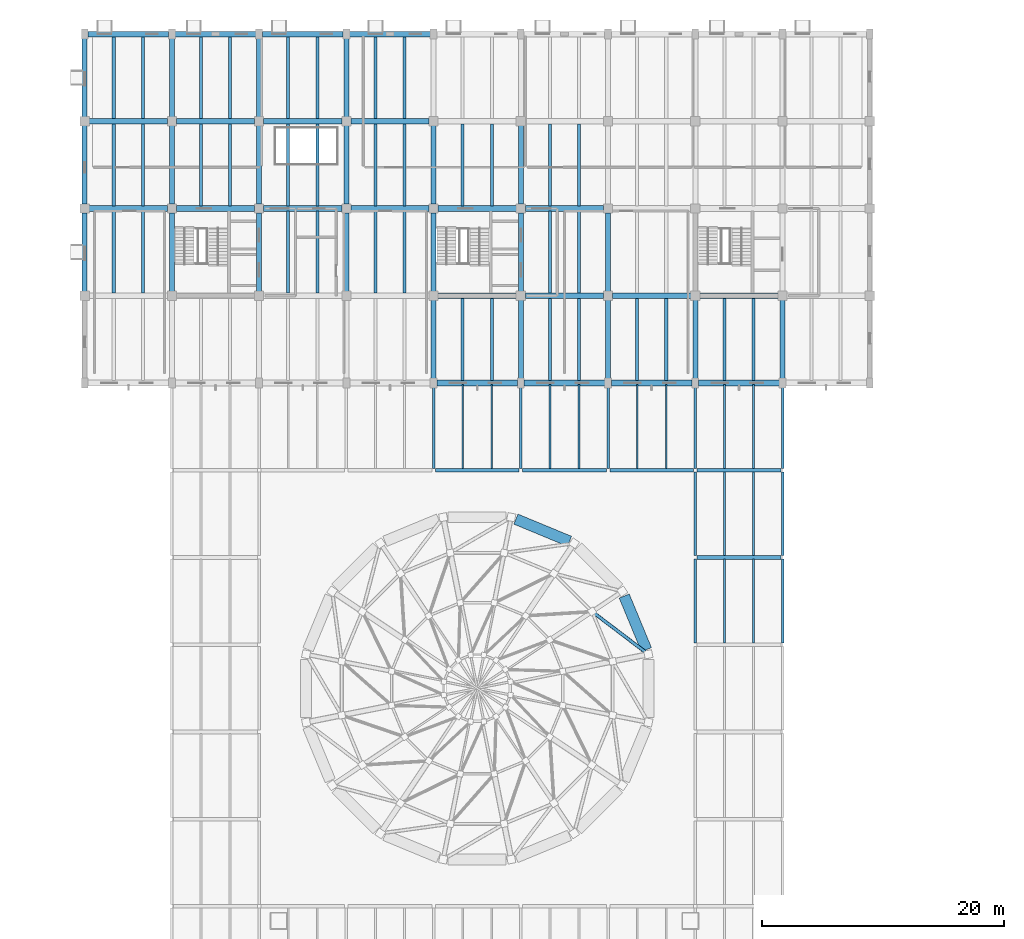
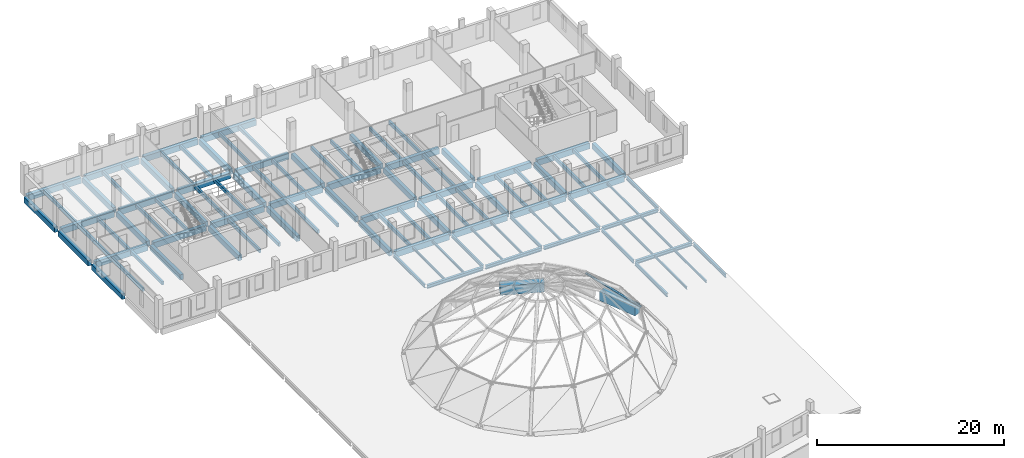
# One storey, part 11 of 32: 108 beams, 1 member.
"""IFC4 building model written with IfcOpenShell, lengths in metres."""

from ifc_helpers import new_model, si_unit, direction, frame, origin, origin_2d, place, context, subcontext, project, spatial, rectangle, hollow_circle, i_section, extrude, material, material_profile, profile_set, type_object, element, save


model = new_model("IFC4")

# Units and contexts
model_context = context("Model", 3, precision=1e-05, world=origin(), true_north=direction((0.0, 1.0)))
body_context = subcontext(model_context, "Body", "Model", "MODEL_VIEW")
ifc_project = project(units=[si_unit("LENGTHUNIT", "METRE"), si_unit("AREAUNIT", "SQUARE_METRE"), si_unit("VOLUMEUNIT", "CUBIC_METRE"), si_unit("PLANEANGLEUNIT", "RADIAN"), si_unit("MASSUNIT", "GRAM", prefix="KILO")], contexts=[model_context])

# Site, building, storey
site_placement = place(None, origin())
site = spatial("IfcSite", under=ifc_project, at=site_placement, CompositionType="ELEMENT")
building_placement = place(site_placement, origin())
building = spatial("IfcBuilding", under=site, at=building_placement, Name="Qiaolan Assembly House", CompositionType="ELEMENT")
storey_placement = place(building_placement, frame((0.0, 0.0, 18.60009765625)))
storey = spatial("IfcBuildingStorey", under=building, at=storey_placement, Name="L04", CompositionType="ELEMENT", Elevation=18.60009765625)

# Beams
ifc_material_1 = material(Name="Concrete C40/50", Category="concrete")
ifc_material_profile_1 = material_profile(ifc_material_1, rectangle(XDim=0.409912109375, YDim=0.7099609375, at=origin_2d()), Name="RCB 410x710")
ifc_profile_set_1 = profile_set([ifc_material_profile_1], Name="Concrete C40/50")
beam_type_1 = type_object("IfcBeamType", Name="BM-RC-410x710", PredefinedType="BEAM", material=ifc_profile_set_1)
for number, where, z_axis, x_axis, name in (
    (1, (36.0, 93.965087890625, -0.585205078125), (0.0, 1.0, 0.0), (-1.0, 0.0, 0.0), "GB-17 beam BMY-NW-L04-00-01"),
    (2, (36.0, 101.1650390625, -0.585205078125), (0.0, 1.0, 0.0), (-1.0, 0.0, 0.0), "GB-17 beam BMY-NW-L04-00-02"),
):
    element("IfcBeam", number, at=place(storey_placement, frame(where, z_axis=z_axis, x_axis=x_axis)), inside=storey, type_object=beam_type_1, Name=name, PredefinedType="BEAM", context=body_context, shape_type="SweptSolid", body=[
        extrude(rectangle(XDim=0.409912109375, YDim=0.7099609375, at=origin_2d()), origin(), (0.0, 0.0, 1.0), 6.469970703125),
    ])
beam_1_placement = place(storey_placement, frame((36.0, 108.364990234375, -0.585205078125), z_axis=(0.0, 1.0, 0.0), x_axis=(-1.0, 0.0, 0.0)))
element("IfcBeam", 3, at=beam_1_placement, inside=storey, type_object=beam_type_1, Name="GB-17 beam BMY-NW-L04-00-03", PredefinedType="BEAM", context=body_context, shape_type="SweptSolid", body=[
    extrude(rectangle(XDim=0.409912109375, YDim=0.7099609375, at=origin_2d()), origin(), (0.0, 0.0, 1.0), 6.56494140625),
])
for number, where, z_axis, x_axis, name in (
    (4, (43.199951171875, 93.965087890625, -0.585205078125), (0.0, 1.0, 0.0), (-1.0, 0.0, 0.0), "GB-17 beam BMY-NW-L04-01-01"),
    (5, (43.199951171875, 101.1650390625, -0.585205078125), (0.0, 1.0, 0.0), (-1.0, 0.0, 0.0), "GB-17 beam BMY-NW-L04-01-02"),
):
    element("IfcBeam", number, at=place(storey_placement, frame(where, z_axis=z_axis, x_axis=x_axis)), inside=storey, type_object=beam_type_1, Name=name, PredefinedType="BEAM", context=body_context, shape_type="SweptSolid", body=[
        extrude(rectangle(XDim=0.409912109375, YDim=0.7099609375, at=origin_2d()), origin(), (0.0, 0.0, 1.0), 6.469970703125),
    ])
beam_2_placement = place(storey_placement, frame((43.199951171875, 108.364990234375, -0.585205078125), z_axis=(0.0, 1.0, 0.0), x_axis=(-1.0, 0.0, 0.0)))
element("IfcBeam", 6, at=beam_2_placement, inside=storey, type_object=beam_type_1, Name="GB-17 beam BMY-NW-L04-01-03", PredefinedType="BEAM", context=body_context, shape_type="SweptSolid", body=[
    extrude(rectangle(XDim=0.409912109375, YDim=0.7099609375, at=origin_2d()), origin(), (0.0, 0.0, 1.0), 6.56494140625),
])
for number, where, z_axis, x_axis, name in (
    (7, (50.39990234375, 93.965087890625, -0.585205078125), (0.0, 1.0, 0.0), (-1.0, 0.0, 0.0), "GB-17 beam BMY-NW-L04-02-01"),
    (8, (50.39990234375, 101.1650390625, -0.585205078125), (0.0, 1.0, 0.0), (-1.0, 0.0, 0.0), "GB-17 beam BMY-NW-L04-02-02"),
):
    element("IfcBeam", number, at=place(storey_placement, frame(where, z_axis=z_axis, x_axis=x_axis)), inside=storey, type_object=beam_type_1, Name=name, PredefinedType="BEAM", context=body_context, shape_type="SweptSolid", body=[
        extrude(rectangle(XDim=0.409912109375, YDim=0.7099609375, at=origin_2d()), origin(), (0.0, 0.0, 1.0), 6.469970703125),
    ])
beam_3_placement = place(storey_placement, frame((50.39990234375, 108.364990234375, -0.585205078125), z_axis=(0.0, 1.0, 0.0), x_axis=(-1.0, 0.0, 0.0)))
element("IfcBeam", 9, at=beam_3_placement, inside=storey, type_object=beam_type_1, Name="GB-17 beam BMY-NW-L04-02-03", PredefinedType="BEAM", context=body_context, shape_type="SweptSolid", body=[
    extrude(rectangle(XDim=0.409912109375, YDim=0.7099609375, at=origin_2d()), origin(), (0.0, 0.0, 1.0), 6.56494140625),
])
for number, where, z_axis, x_axis, name in (
    (10, (57.60009765625, 93.965087890625, -0.585205078125), (0.0, 1.0, 0.0), (-1.0, 0.0, 0.0), "GB-17 beam BMY-NW-L04-03-01"),
    (11, (57.60009765625, 101.1650390625, -0.585205078125), (0.0, 1.0, 0.0), (-1.0, 0.0, 0.0), "GB-17 beam BMY-NW-L04-03-02"),
):
    element("IfcBeam", number, at=place(storey_placement, frame(where, z_axis=z_axis, x_axis=x_axis)), inside=storey, type_object=beam_type_1, Name=name, PredefinedType="BEAM", context=body_context, shape_type="SweptSolid", body=[
        extrude(rectangle(XDim=0.409912109375, YDim=0.7099609375, at=origin_2d()), origin(), (0.0, 0.0, 1.0), 6.469970703125),
    ])
beam_4_placement = place(storey_placement, frame((57.60009765625, 108.364990234375, -0.585205078125), z_axis=(0.0, 1.0, 0.0), x_axis=(-1.0, 0.0, 0.0)))
element("IfcBeam", 12, at=beam_4_placement, inside=storey, type_object=beam_type_1, Name="GB-17 beam BMY-NW-L04-03-03", PredefinedType="BEAM", context=body_context, shape_type="SweptSolid", body=[
    extrude(rectangle(XDim=0.409912109375, YDim=0.7099609375, at=origin_2d()), origin(), (0.0, 0.0, 1.0), 6.56494140625),
])
beam_5_placement = place(storey_placement, frame((64.800048828125, 86.669921875, -0.585205078125), z_axis=(0.0, 1.0, 0.0), x_axis=(-1.0, 0.0, 0.0)))
element("IfcBeam", 13, at=beam_5_placement, inside=storey, type_object=beam_type_1, Name="GB-17 beam BMY-NW-L04-04-00", PredefinedType="BEAM", context=body_context, shape_type="SweptSolid", body=[
    extrude(rectangle(XDim=0.409912109375, YDim=0.7099609375, at=origin_2d()), origin(), (0.0, 0.0, 1.0), 6.565185546875),
])
for number, where, z_axis, x_axis, name in (
    (14, (64.800048828125, 93.965087890625, -0.585205078125), (0.0, 1.0, 0.0), (-1.0, 0.0, 0.0), "GB-17 beam BMY-NW-L04-04-01"),
    (15, (64.800048828125, 101.1650390625, -0.585205078125), (0.0, 1.0, 0.0), (-1.0, 0.0, 0.0), "GB-17 beam BMY-NW-L04-04-02"),
):
    element("IfcBeam", number, at=place(storey_placement, frame(where, z_axis=z_axis, x_axis=x_axis)), inside=storey, type_object=beam_type_1, Name=name, PredefinedType="BEAM", context=body_context, shape_type="SweptSolid", body=[
        extrude(rectangle(XDim=0.409912109375, YDim=0.7099609375, at=origin_2d()), origin(), (0.0, 0.0, 1.0), 6.469970703125),
    ])
beam_6_placement = place(storey_placement, frame((72.0, 86.669921875, -0.585205078125), z_axis=(0.0, 1.0, 0.0), x_axis=(-1.0, 0.0, 0.0)))
element("IfcBeam", 16, at=beam_6_placement, inside=storey, type_object=beam_type_1, Name="GB-17 beam BMY-NW-L04-05-00", PredefinedType="BEAM", context=body_context, shape_type="SweptSolid", body=[
    extrude(rectangle(XDim=0.409912109375, YDim=0.7099609375, at=origin_2d()), origin(), (0.0, 0.0, 1.0), 6.565185546875),
])
for number, where, z_axis, x_axis, name in (
    (17, (72.0, 93.965087890625, -0.585205078125), (0.0, 1.0, 0.0), (-1.0, 0.0, 0.0), "GB-17 beam BMY-NW-L04-05-01"),
    (18, (72.0, 101.1650390625, -0.585205078125), (0.0, 1.0, 0.0), (-1.0, 0.0, 0.0), "GB-17 beam BMY-NW-L04-05-02"),
):
    element("IfcBeam", number, at=place(storey_placement, frame(where, z_axis=z_axis, x_axis=x_axis)), inside=storey, type_object=beam_type_1, Name=name, PredefinedType="BEAM", context=body_context, shape_type="SweptSolid", body=[
        extrude(rectangle(XDim=0.409912109375, YDim=0.7099609375, at=origin_2d()), origin(), (0.0, 0.0, 1.0), 6.469970703125),
    ])
beam_7_placement = place(storey_placement, frame((79.199951171875, 86.669921875, -0.585205078125), z_axis=(0.0, 1.0, 0.0), x_axis=(-1.0, 0.0, 0.0)))
element("IfcBeam", 19, at=beam_7_placement, inside=storey, type_object=beam_type_1, Name="GB-17 beam BMY-NW-L04-06-00", PredefinedType="BEAM", context=body_context, shape_type="SweptSolid", body=[
    extrude(rectangle(XDim=0.409912109375, YDim=0.7099609375, at=origin_2d()), origin(), (0.0, 0.0, 1.0), 6.565185546875),
])
beam_8_placement = place(storey_placement, frame((79.199951171875, 93.965087890625, -0.585205078125), z_axis=(0.0, 1.0, 0.0), x_axis=(-1.0, 0.0, 0.0)))
element("IfcBeam", 20, at=beam_8_placement, inside=storey, type_object=beam_type_1, Name="GB-17 beam BMY-NW-L04-06-01", PredefinedType="BEAM", context=body_context, shape_type="SweptSolid", body=[
    extrude(rectangle(XDim=0.409912109375, YDim=0.7099609375, at=origin_2d()), origin(), (0.0, 0.0, 1.0), 6.469970703125),
])
for number, where, z_axis, x_axis, name in (
    (21, (86.39990234375, 86.669921875, -0.585205078125), (0.0, 1.0, 0.0), (-1.0, 0.0, 0.0), "GB-17 beam BMY-NW-L04-07-00"),
    (22, (93.60009765625, 86.669921875, -0.585205078125), (0.0, 1.0, 0.0), (-1.0, 0.0, 0.0), "GB-17 beam BMY-NW-L04-08-00"),
):
    element("IfcBeam", number, at=place(storey_placement, frame(where, z_axis=z_axis, x_axis=x_axis)), inside=storey, type_object=beam_type_1, Name=name, PredefinedType="BEAM", context=body_context, shape_type="SweptSolid", body=[
        extrude(rectangle(XDim=0.409912109375, YDim=0.7099609375, at=origin_2d()), origin(), (0.0, 0.0, 1.0), 6.565185546875),
    ])
ifc_material_profile_2 = material_profile(ifc_material_1, rectangle(XDim=0.4599609375, YDim=0.760009765625, at=origin_2d()), Name="RCB 460x760")
ifc_profile_set_2 = profile_set([ifc_material_profile_2], Name="Concrete C40/50")
beam_type_2 = type_object("IfcBeamType", Name="BM-RC-460x760", PredefinedType="BEAM", material=ifc_profile_set_2)
for number, where, z_axis, x_axis, name in (
    (23, (65.070068359375, 86.39990234375, -0.610107421875), (1.0, 0.0, 0.0), (0.0, 1.0, 0.0), "GB-15 beam BMX-NW-L04-04-00"),
    (24, (72.27001953125, 86.39990234375, -0.610107421875), (1.0, 0.0, 0.0), (0.0, 1.0, 0.0), "GB-15 beam BMX-NW-L04-05-00"),
    (25, (79.469970703125, 86.39990234375, -0.610107421875), (1.0, 0.0, 0.0), (0.0, 1.0, 0.0), "GB-15 beam BMX-NW-L04-06-00"),
):
    element("IfcBeam", number, at=place(storey_placement, frame(where, z_axis=z_axis, x_axis=x_axis)), inside=storey, type_object=beam_type_2, Name=name, PredefinedType="BEAM", context=body_context, shape_type="SweptSolid", body=[
        extrude(rectangle(XDim=0.4599609375, YDim=0.760009765625, at=origin_2d()), origin(), (0.0, 0.0, 1.0), 6.659912109375),
    ])
beam_9_placement = place(storey_placement, frame((86.669921875, 86.39990234375, -0.610107421875), z_axis=(1.0, 0.0, 0.0), x_axis=(0.0, 1.0, 0.0)))
element("IfcBeam", 26, at=beam_9_placement, inside=storey, type_object=beam_type_2, Name="GB-15 beam BMX-NW-L04-07-00", PredefinedType="BEAM", context=body_context, shape_type="SweptSolid", body=[
    extrude(rectangle(XDim=0.4599609375, YDim=0.760009765625, at=origin_2d()), origin(), (0.0, 0.0, 1.0), 6.66015625),
])
for number, where, z_axis, x_axis, name in (
    (27, (65.1650390625, 93.60009765625, -0.610107421875), (1.0, 0.0, 0.0), (0.0, 1.0, 0.0), "GB-15 beam BMX-NW-L04-04-01"),
    (28, (72.364990234375, 93.60009765625, -0.610107421875), (1.0, 0.0, 0.0), (0.0, 1.0, 0.0), "GB-15 beam BMX-NW-L04-05-01"),
    (29, (79.56494140625, 93.60009765625, -0.610107421875), (1.0, 0.0, 0.0), (0.0, 1.0, 0.0), "GB-15 beam BMX-NW-L04-06-01"),
):
    element("IfcBeam", number, at=place(storey_placement, frame(where, z_axis=z_axis, x_axis=x_axis)), inside=storey, type_object=beam_type_2, Name=name, PredefinedType="BEAM", context=body_context, shape_type="SweptSolid", body=[
        extrude(rectangle(XDim=0.4599609375, YDim=0.760009765625, at=origin_2d()), origin(), (0.0, 0.0, 1.0), 6.469970703125),
    ])
beam_10_placement = place(storey_placement, frame((86.764892578125, 93.60009765625, -0.610107421875), z_axis=(1.0, 0.0, 0.0), x_axis=(0.0, 1.0, 0.0)))
element("IfcBeam", 30, at=beam_10_placement, inside=storey, type_object=beam_type_2, Name="GB-15 beam BMX-NW-L04-07-01", PredefinedType="BEAM", context=body_context, shape_type="SweptSolid", body=[
    extrude(rectangle(XDim=0.4599609375, YDim=0.760009765625, at=origin_2d()), origin(), (0.0, 0.0, 1.0), 6.47021484375),
])
for number, where, z_axis, x_axis, name in (
    (31, (36.364990234375, 100.800048828125, -0.610107421875), (1.0, 0.0, 0.0), (0.0, 1.0, 0.0), "GB-15 beam BMX-NW-L04-00-02"),
    (32, (43.56494140625, 100.800048828125, -0.610107421875), (1.0, 0.0, 0.0), (0.0, 1.0, 0.0), "GB-15 beam BMX-NW-L04-01-02"),
):
    element("IfcBeam", number, at=place(storey_placement, frame(where, z_axis=z_axis, x_axis=x_axis)), inside=storey, type_object=beam_type_2, Name=name, PredefinedType="BEAM", context=body_context, shape_type="SweptSolid", body=[
        extrude(rectangle(XDim=0.4599609375, YDim=0.760009765625, at=origin_2d()), origin(), (0.0, 0.0, 1.0), 6.469970703125),
    ])
beam_11_placement = place(storey_placement, frame((50.764892578125, 100.800048828125, -0.610107421875), z_axis=(1.0, 0.0, 0.0), x_axis=(0.0, 1.0, 0.0)))
element("IfcBeam", 33, at=beam_11_placement, inside=storey, type_object=beam_type_2, Name="GB-15 beam BMX-NW-L04-02-02", PredefinedType="BEAM", context=body_context, shape_type="SweptSolid", body=[
    extrude(rectangle(XDim=0.4599609375, YDim=0.760009765625, at=origin_2d()), origin(), (0.0, 0.0, 1.0), 6.47021484375),
])
for number, where, z_axis, x_axis, name in (
    (34, (57.965087890625, 100.800048828125, -0.610107421875), (1.0, 0.0, 0.0), (0.0, 1.0, 0.0), "GB-15 beam BMX-NW-L04-03-02"),
    (35, (65.1650390625, 100.800048828125, -0.610107421875), (1.0, 0.0, 0.0), (0.0, 1.0, 0.0), "GB-15 beam BMX-NW-L04-04-02"),
    (36, (72.364990234375, 100.800048828125, -0.610107421875), (1.0, 0.0, 0.0), (0.0, 1.0, 0.0), "GB-15 beam BMX-NW-L04-05-02"),
    (37, (36.364990234375, 108.0, -0.610107421875), (1.0, 0.0, 0.0), (0.0, 1.0, 0.0), "GB-15 beam BMX-NW-L04-00-03"),
    (38, (43.56494140625, 108.0, -0.610107421875), (1.0, 0.0, 0.0), (0.0, 1.0, 0.0), "GB-15 beam BMX-NW-L04-01-03"),
):
    element("IfcBeam", number, at=place(storey_placement, frame(where, z_axis=z_axis, x_axis=x_axis)), inside=storey, type_object=beam_type_2, Name=name, PredefinedType="BEAM", context=body_context, shape_type="SweptSolid", body=[
        extrude(rectangle(XDim=0.4599609375, YDim=0.760009765625, at=origin_2d()), origin(), (0.0, 0.0, 1.0), 6.469970703125),
    ])
beam_12_placement = place(storey_placement, frame((50.764892578125, 108.0, -0.610107421875), z_axis=(1.0, 0.0, 0.0), x_axis=(0.0, 1.0, 0.0)))
element("IfcBeam", 39, at=beam_12_placement, inside=storey, type_object=beam_type_2, Name="GB-15 beam BMX-NW-L04-02-03", PredefinedType="BEAM", context=body_context, shape_type="SweptSolid", body=[
    extrude(rectangle(XDim=0.4599609375, YDim=0.760009765625, at=origin_2d()), origin(), (0.0, 0.0, 1.0), 6.47021484375),
])
beam_13_placement = place(storey_placement, frame((57.965087890625, 108.0, -0.610107421875), z_axis=(1.0, 0.0, 0.0), x_axis=(0.0, 1.0, 0.0)))
element("IfcBeam", 40, at=beam_13_placement, inside=storey, type_object=beam_type_2, Name="GB-15 beam BMX-NW-L04-03-03", PredefinedType="BEAM", context=body_context, shape_type="SweptSolid", body=[
    extrude(rectangle(XDim=0.4599609375, YDim=0.760009765625, at=origin_2d()), origin(), (0.0, 0.0, 1.0), 6.469970703125),
])
for number, where, z_axis, x_axis, name in (
    (41, (36.27001953125, 115.199951171875, -0.610107421875), (1.0, 0.0, 0.0), (0.0, 1.0, 0.0), "GB-15 beam BMX-NW-L04-00-04"),
    (42, (43.469970703125, 115.199951171875, -0.610107421875), (1.0, 0.0, 0.0), (0.0, 1.0, 0.0), "GB-15 beam BMX-NW-L04-01-04"),
):
    element("IfcBeam", number, at=place(storey_placement, frame(where, z_axis=z_axis, x_axis=x_axis)), inside=storey, type_object=beam_type_2, Name=name, PredefinedType="BEAM", context=body_context, shape_type="SweptSolid", body=[
        extrude(rectangle(XDim=0.4599609375, YDim=0.760009765625, at=origin_2d()), origin(), (0.0, 0.0, 1.0), 6.659912109375),
    ])
beam_14_placement = place(storey_placement, frame((50.669921875, 115.199951171875, -0.610107421875), z_axis=(1.0, 0.0, 0.0), x_axis=(0.0, 1.0, 0.0)))
element("IfcBeam", 43, at=beam_14_placement, inside=storey, type_object=beam_type_2, Name="GB-15 beam BMX-NW-L04-02-04", PredefinedType="BEAM", context=body_context, shape_type="SweptSolid", body=[
    extrude(rectangle(XDim=0.4599609375, YDim=0.760009765625, at=origin_2d()), origin(), (0.0, 0.0, 1.0), 6.66015625),
])
beam_15_placement = place(storey_placement, frame((57.8701171875, 115.199951171875, -0.610107421875), z_axis=(1.0, 0.0, 0.0), x_axis=(0.0, 1.0, 0.0)))
element("IfcBeam", 44, at=beam_15_placement, inside=storey, type_object=beam_type_2, Name="GB-15 beam BMX-NW-L04-03-04", PredefinedType="BEAM", context=body_context, shape_type="SweptSolid", body=[
    extrude(rectangle(XDim=0.4599609375, YDim=0.760009765625, at=origin_2d()), origin(), (0.0, 0.0, 1.0), 6.659912109375),
])
ifc_material_2 = material(Name="Concrete C50/60", Category="concrete")
ifc_material_profile_3 = material_profile(ifc_material_2, rectangle(XDim=0.89990234375, YDim=1.199951171875, at=origin_2d()), Name="RCB 900x1200")
ifc_profile_set_3 = profile_set([ifc_material_profile_3], Name="Concrete C50/60")
beam_type_3 = type_object("IfcBeamType", Name="BM-RING-900x1200", PredefinedType="BEAM", material=ifc_profile_set_3)
for number, where, z_axis, x_axis, name in (
    (45, (82.364501953125, 64.392822265625, -0.60009765625), (-0.38268500057, 0.923878882938, 0.0), (-0.923878882938, -0.38268500057, 0.0), "RB-01 beam BM-DOME-THRUST-RING-00"),
    (46, (76.016845703125, 73.33203125, -0.60009765625), (-0.923878882938, 0.38268500057, 0.0), (-0.38268500057, -0.923878882938, 0.0), "RB-01 beam BM-DOME-THRUST-RING-02"),
):
    element("IfcBeam", number, at=place(storey_placement, frame(where, z_axis=z_axis, x_axis=x_axis)), inside=storey, type_object=beam_type_3, Name=name, PredefinedType="BEAM", context=body_context, shape_type="SweptSolid", body=[
        extrude(rectangle(XDim=0.89990234375, YDim=1.199951171875, at=origin_2d()), origin(), (0.0, 0.0, 1.0), 4.78857421875),
    ])
ifc_material_3 = material(Name="Steel Q355B", Category="steel")
ifc_material_profile_4 = material_profile(ifc_material_3, i_section(OverallWidth=0.300048828125, OverallDepth=0.43994140625, WebThickness=0.010986328125, FlangeThickness=0.01806640625, FilletRadius=0.02001953125, at=origin_2d()), Name="HM 440x300x11x18")
ifc_profile_set_4 = profile_set([ifc_material_profile_4], Name="Steel Q355B")
beam_type_4 = type_object("IfcBeamType", Name="BM-STL-HM440", PredefinedType="BEAM", material=ifc_profile_set_4)
beam_16_placement = place(storey_placement, frame((86.544921875, 72.0, -0.465087890625), z_axis=(1.0, 0.0, 0.0), x_axis=(0.0, 1.0, 0.0)))
element("IfcBeam", 47, at=beam_16_placement, inside=storey, type_object=beam_type_4, Name="SB-06 beam BMX-HLCR-L04-06-05", PredefinedType="BEAM", context=body_context, shape_type="SweptSolid", body=[
    extrude(i_section(OverallWidth=0.300048828125, OverallDepth=0.43994140625, WebThickness=0.010986328125, FlangeThickness=0.01806640625, FilletRadius=0.02001953125, at=origin_2d()), origin(), (0.0, 0.0, 1.0), 6.91015625),
])
for number, where, z_axis, x_axis, name in (
    (48, (64.945068359375, 79.199951171875, -0.465087890625), (1.0, 0.0, 0.0), (0.0, 1.0, 0.0), "SB-06 beam BMX-HLCR-L04-03-06"),
    (49, (72.14501953125, 79.199951171875, -0.465087890625), (1.0, 0.0, 0.0), (0.0, 1.0, 0.0), "SB-06 beam BMX-HLCR-L04-04-06"),
    (50, (79.344970703125, 79.199951171875, -0.465087890625), (1.0, 0.0, 0.0), (0.0, 1.0, 0.0), "SB-06 beam BMX-HLCR-L04-05-06"),
):
    element("IfcBeam", number, at=place(storey_placement, frame(where, z_axis=z_axis, x_axis=x_axis)), inside=storey, type_object=beam_type_4, Name=name, PredefinedType="BEAM", context=body_context, shape_type="SweptSolid", body=[
        extrude(i_section(OverallWidth=0.300048828125, OverallDepth=0.43994140625, WebThickness=0.010986328125, FlangeThickness=0.01806640625, FilletRadius=0.02001953125, at=origin_2d()), origin(), (0.0, 0.0, 1.0), 6.909912109375),
    ])
beam_17_placement = place(storey_placement, frame((86.544921875, 79.199951171875, -0.465087890625), z_axis=(1.0, 0.0, 0.0), x_axis=(0.0, 1.0, 0.0)))
element("IfcBeam", 51, at=beam_17_placement, inside=storey, type_object=beam_type_4, Name="SB-06 beam BMX-HLCR-L04-06-06", PredefinedType="BEAM", context=body_context, shape_type="SweptSolid", body=[
    extrude(i_section(OverallWidth=0.300048828125, OverallDepth=0.43994140625, WebThickness=0.010986328125, FlangeThickness=0.01806640625, FilletRadius=0.02001953125, at=origin_2d()), origin(), (0.0, 0.0, 1.0), 6.91015625),
])
ifc_material_profile_5 = material_profile(ifc_material_3, i_section(OverallWidth=0.199951171875, OverallDepth=0.449951171875, WebThickness=0.009033203125, FlangeThickness=0.013916015625, FilletRadius=0.01611328125, at=origin_2d()), Name="HN 450x200x9x14")
ifc_profile_set_5 = profile_set([ifc_material_profile_5], Name="Steel Q355B")
beam_type_5 = type_object("IfcBeamType", Name="BM-STL-HN450", PredefinedType="BEAM", material=ifc_profile_set_5)
for number, where, z_axis, x_axis, name in (
    (52, (64.800048828125, 79.344970703125, -0.47021484375), (0.0, 1.0, 0.0), (-1.0, 0.0, 0.0), "SB-07 beam BMY-HLCR-L04-03-06"),
    (53, (72.0, 79.344970703125, -0.47021484375), (0.0, 1.0, 0.0), (-1.0, 0.0, 0.0), "SB-07 beam BMY-HLCR-L04-04-06"),
    (54, (79.199951171875, 79.344970703125, -0.47021484375), (0.0, 1.0, 0.0), (-1.0, 0.0, 0.0), "SB-07 beam BMY-HLCR-L04-05-06"),
):
    element("IfcBeam", number, at=place(storey_placement, frame(where, z_axis=z_axis, x_axis=x_axis)), inside=storey, type_object=beam_type_5, Name=name, PredefinedType="BEAM", context=body_context, shape_type="SweptSolid", body=[
        extrude(i_section(OverallWidth=0.199951171875, OverallDepth=0.449951171875, WebThickness=0.009033203125, FlangeThickness=0.013916015625, FilletRadius=0.01611328125, at=origin_2d()), origin(), (0.0, 0.0, 1.0), 6.784912109375),
    ])
for number, where, z_axis, x_axis, name in (
    (55, (86.39990234375, 64.945068359375, -0.47021484375), (0.0, 1.0, 0.0), (-1.0, 0.0, 0.0), "SB-07 beam BMY-HLCR-L04-06-04"),
    (56, (86.39990234375, 72.14501953125, -0.47021484375), (0.0, 1.0, 0.0), (-1.0, 0.0, 0.0), "SB-07 beam BMY-HLCR-L04-06-05"),
):
    element("IfcBeam", number, at=place(storey_placement, frame(where, z_axis=z_axis, x_axis=x_axis)), inside=storey, type_object=beam_type_5, Name=name, PredefinedType="BEAM", context=body_context, shape_type="SweptSolid", body=[
        extrude(i_section(OverallWidth=0.199951171875, OverallDepth=0.449951171875, WebThickness=0.009033203125, FlangeThickness=0.013916015625, FilletRadius=0.01611328125, at=origin_2d()), origin(), (0.0, 0.0, 1.0), 6.909912109375),
    ])
beam_18_placement = place(storey_placement, frame((86.39990234375, 79.344970703125, -0.47021484375), z_axis=(0.0, 1.0, 0.0), x_axis=(-1.0, 0.0, 0.0)))
element("IfcBeam", 57, at=beam_18_placement, inside=storey, type_object=beam_type_5, Name="SB-07 beam BMY-HLCR-L04-06-06", PredefinedType="BEAM", context=body_context, shape_type="SweptSolid", body=[
    extrude(i_section(OverallWidth=0.199951171875, OverallDepth=0.449951171875, WebThickness=0.009033203125, FlangeThickness=0.013916015625, FilletRadius=0.01611328125, at=origin_2d()), origin(), (0.0, 0.0, 1.0), 6.784912109375),
])
for number, where, z_axis, x_axis, name in (
    (58, (93.60009765625, 64.945068359375, -0.47021484375), (0.0, 1.0, 0.0), (-1.0, 0.0, 0.0), "SB-07 beam BMY-HLCR-L04-07-04"),
    (59, (93.60009765625, 72.14501953125, -0.47021484375), (0.0, 1.0, 0.0), (-1.0, 0.0, 0.0), "SB-07 beam BMY-HLCR-L04-07-05"),
):
    element("IfcBeam", number, at=place(storey_placement, frame(where, z_axis=z_axis, x_axis=x_axis)), inside=storey, type_object=beam_type_5, Name=name, PredefinedType="BEAM", context=body_context, shape_type="SweptSolid", body=[
        extrude(i_section(OverallWidth=0.199951171875, OverallDepth=0.449951171875, WebThickness=0.009033203125, FlangeThickness=0.013916015625, FilletRadius=0.01611328125, at=origin_2d()), origin(), (0.0, 0.0, 1.0), 6.909912109375),
    ])
beam_19_placement = place(storey_placement, frame((93.60009765625, 79.344970703125, -0.47021484375), z_axis=(0.0, 1.0, 0.0), x_axis=(-1.0, 0.0, 0.0)))
element("IfcBeam", 60, at=beam_19_placement, inside=storey, type_object=beam_type_5, Name="SB-07 beam BMY-HLCR-L04-07-06", PredefinedType="BEAM", context=body_context, shape_type="SweptSolid", body=[
    extrude(i_section(OverallWidth=0.199951171875, OverallDepth=0.449951171875, WebThickness=0.009033203125, FlangeThickness=0.013916015625, FilletRadius=0.01611328125, at=origin_2d()), origin(), (0.0, 0.0, 1.0), 6.784912109375),
])
ifc_material_profile_6 = material_profile(ifc_material_1, rectangle(XDim=0.25, YDim=0.449951171875, at=origin_2d()), Name="RCB 250x450")
ifc_profile_set_6 = profile_set([ifc_material_profile_6], Name="Concrete C40/50")
beam_type_6 = type_object("IfcBeamType", Name="JST-RC-250x450", PredefinedType="JOIST", material=ifc_profile_set_6)
for number, where, z_axis, x_axis, name in (
    (61, (38.39990234375, 93.823974609375, -0.455078125), (0.0, 1.0, 0.0), (-1.0, 0.0, 0.0), "RJ-02 beam JST-NW-L04-00-01-1"),
    (62, (40.800048828125, 93.823974609375, -0.455078125), (0.0, 1.0, 0.0), (-1.0, 0.0, 0.0), "RJ-02 beam JST-NW-L04-00-01-2"),
    (63, (38.39990234375, 101.02392578125, -0.455078125), (0.0, 1.0, 0.0), (-1.0, 0.0, 0.0), "RJ-02 beam JST-NW-L04-00-02-1"),
    (64, (40.800048828125, 101.02392578125, -0.455078125), (0.0, 1.0, 0.0), (-1.0, 0.0, 0.0), "RJ-02 beam JST-NW-L04-00-02-2"),
    (65, (38.39990234375, 108.22412109375, -0.455078125), (0.0, 1.0, 0.0), (-1.0, 0.0, 0.0), "RJ-02 beam JST-NW-L04-00-03-1"),
    (66, (40.800048828125, 108.22412109375, -0.455078125), (0.0, 1.0, 0.0), (-1.0, 0.0, 0.0), "RJ-02 beam JST-NW-L04-00-03-2"),
    (67, (45.60009765625, 101.02392578125, -0.455078125), (0.0, 1.0, 0.0), (-1.0, 0.0, 0.0), "RJ-02 beam JST-NW-L04-01-02-1"),
    (68, (48.0, 101.02392578125, -0.455078125), (0.0, 1.0, 0.0), (-1.0, 0.0, 0.0), "RJ-02 beam JST-NW-L04-01-02-2"),
    (69, (45.60009765625, 108.22412109375, -0.455078125), (0.0, 1.0, 0.0), (-1.0, 0.0, 0.0), "RJ-02 beam JST-NW-L04-01-03-1"),
    (70, (48.0, 108.22412109375, -0.455078125), (0.0, 1.0, 0.0), (-1.0, 0.0, 0.0), "RJ-02 beam JST-NW-L04-01-03-2"),
    (71, (52.800048828125, 93.823974609375, -0.455078125), (0.0, 1.0, 0.0), (-1.0, 0.0, 0.0), "RJ-02 beam JST-NW-L04-02-01-1"),
    (72, (55.199951171875, 93.823974609375, -0.455078125), (0.0, 1.0, 0.0), (-1.0, 0.0, 0.0), "RJ-02 beam JST-NW-L04-02-01-2"),
    (73, (52.800048828125, 101.02392578125, -0.455078125), (0.0, 1.0, 0.0), (-1.0, 0.0, 0.0), "RJ-02 beam JST-NW-L04-02-02-1"),
    (74, (55.199951171875, 101.02392578125, -0.455078125), (0.0, 1.0, 0.0), (-1.0, 0.0, 0.0), "RJ-02 beam JST-NW-L04-02-02-2"),
    (75, (52.800048828125, 108.22412109375, -0.455078125), (0.0, 1.0, 0.0), (-1.0, 0.0, 0.0), "RJ-02 beam JST-NW-L04-02-03-1"),
    (76, (55.199951171875, 108.22412109375, -0.455078125), (0.0, 1.0, 0.0), (-1.0, 0.0, 0.0), "RJ-02 beam JST-NW-L04-02-03-2"),
    (77, (60.0, 93.823974609375, -0.455078125), (0.0, 1.0, 0.0), (-1.0, 0.0, 0.0), "RJ-02 beam JST-NW-L04-03-01-1"),
    (78, (62.39990234375, 93.823974609375, -0.455078125), (0.0, 1.0, 0.0), (-1.0, 0.0, 0.0), "RJ-02 beam JST-NW-L04-03-01-2"),
    (79, (60.0, 101.02392578125, -0.455078125), (0.0, 1.0, 0.0), (-1.0, 0.0, 0.0), "RJ-02 beam JST-NW-L04-03-02-1"),
    (80, (62.39990234375, 101.02392578125, -0.455078125), (0.0, 1.0, 0.0), (-1.0, 0.0, 0.0), "RJ-02 beam JST-NW-L04-03-02-2"),
    (81, (60.0, 108.22412109375, -0.455078125), (0.0, 1.0, 0.0), (-1.0, 0.0, 0.0), "RJ-02 beam JST-NW-L04-03-03-1"),
    (82, (62.39990234375, 108.22412109375, -0.455078125), (0.0, 1.0, 0.0), (-1.0, 0.0, 0.0), "RJ-02 beam JST-NW-L04-03-03-2"),
    (83, (67.199951171875, 86.6240234375, -0.455078125), (0.0, 1.0, 0.0), (-1.0, 0.0, 0.0), "RJ-02 beam JST-NW-L04-04-00-1"),
    (84, (69.60009765625, 86.6240234375, -0.455078125), (0.0, 1.0, 0.0), (-1.0, 0.0, 0.0), "RJ-02 beam JST-NW-L04-04-00-2"),
    (85, (67.199951171875, 101.02392578125, -0.455078125), (0.0, 1.0, 0.0), (-1.0, 0.0, 0.0), "RJ-02 beam JST-NW-L04-04-02-1"),
    (86, (69.60009765625, 101.02392578125, -0.455078125), (0.0, 1.0, 0.0), (-1.0, 0.0, 0.0), "RJ-02 beam JST-NW-L04-04-02-2"),
    (87, (74.39990234375, 86.6240234375, -0.455078125), (0.0, 1.0, 0.0), (-1.0, 0.0, 0.0), "RJ-02 beam JST-NW-L04-05-00-1"),
    (88, (76.800048828125, 86.6240234375, -0.455078125), (0.0, 1.0, 0.0), (-1.0, 0.0, 0.0), "RJ-02 beam JST-NW-L04-05-00-2"),
    (89, (74.39990234375, 93.823974609375, -0.455078125), (0.0, 1.0, 0.0), (-1.0, 0.0, 0.0), "RJ-02 beam JST-NW-L04-05-01-1"),
    (90, (76.800048828125, 93.823974609375, -0.455078125), (0.0, 1.0, 0.0), (-1.0, 0.0, 0.0), "RJ-02 beam JST-NW-L04-05-01-2"),
    (91, (74.39990234375, 101.02392578125, -0.455078125), (0.0, 1.0, 0.0), (-1.0, 0.0, 0.0), "RJ-02 beam JST-NW-L04-05-02-1"),
    (92, (76.800048828125, 101.02392578125, -0.455078125), (0.0, 1.0, 0.0), (-1.0, 0.0, 0.0), "RJ-02 beam JST-NW-L04-05-02-2"),
    (93, (81.60009765625, 86.6240234375, -0.455078125), (0.0, 1.0, 0.0), (-1.0, 0.0, 0.0), "RJ-02 beam JST-NW-L04-06-00-1"),
    (94, (84.0, 86.6240234375, -0.455078125), (0.0, 1.0, 0.0), (-1.0, 0.0, 0.0), "RJ-02 beam JST-NW-L04-06-00-2"),
    (95, (88.800048828125, 86.6240234375, -0.455078125), (0.0, 1.0, 0.0), (-1.0, 0.0, 0.0), "RJ-02 beam JST-NW-L04-07-00-1"),
    (96, (91.199951171875, 86.6240234375, -0.455078125), (0.0, 1.0, 0.0), (-1.0, 0.0, 0.0), "RJ-02 beam JST-NW-L04-07-00-2"),
):
    element("IfcBeam", number, at=place(storey_placement, frame(where, z_axis=z_axis, x_axis=x_axis)), inside=storey, type_object=beam_type_6, Name=name, PredefinedType="JOIST", context=body_context, shape_type="SweptSolid", body=[
        extrude(rectangle(XDim=0.25, YDim=0.449951171875, at=origin_2d()), origin(), (0.0, 0.0, 1.0), 6.751953125),
    ])
ifc_material_profile_7 = material_profile(ifc_material_3, i_section(OverallWidth=0.14990234375, OverallDepth=0.300048828125, WebThickness=0.006591796875, FlangeThickness=0.009033203125, FilletRadius=0.012939453125, at=origin_2d()), Name="HN 300x150x6.5x9")
ifc_profile_set_7 = profile_set([ifc_material_profile_7], Name="Steel Q355B")
beam_type_7 = type_object("IfcBeamType", Name="JST-STL-HN300", PredefinedType="JOIST", material=ifc_profile_set_7)
for number, where, z_axis, x_axis, name in (
    (97, (67.199951171875, 79.343994140625, -0.39501953125), (0.0, 1.0, 0.0), (-1.0, 0.0, 0.0), "SJ-02 beam JST-HLCR-L04-03-06-1"),
    (98, (69.60009765625, 79.343994140625, -0.39501953125), (0.0, 1.0, 0.0), (-1.0, 0.0, 0.0), "SJ-02 beam JST-HLCR-L04-03-06-2"),
    (99, (74.39990234375, 79.343994140625, -0.39501953125), (0.0, 1.0, 0.0), (-1.0, 0.0, 0.0), "SJ-02 beam JST-HLCR-L04-04-06-1"),
    (100, (76.800048828125, 79.343994140625, -0.39501953125), (0.0, 1.0, 0.0), (-1.0, 0.0, 0.0), "SJ-02 beam JST-HLCR-L04-04-06-2"),
    (101, (81.60009765625, 79.343994140625, -0.39501953125), (0.0, 1.0, 0.0), (-1.0, 0.0, 0.0), "SJ-02 beam JST-HLCR-L04-05-06-1"),
    (102, (84.0, 79.343994140625, -0.39501953125), (0.0, 1.0, 0.0), (-1.0, 0.0, 0.0), "SJ-02 beam JST-HLCR-L04-05-06-2"),
):
    element("IfcBeam", number, at=place(storey_placement, frame(where, z_axis=z_axis, x_axis=x_axis)), inside=storey, type_object=beam_type_7, Name=name, PredefinedType="JOIST", context=body_context, shape_type="SweptSolid", body=[
        extrude(i_section(OverallWidth=0.14990234375, OverallDepth=0.300048828125, WebThickness=0.006591796875, FlangeThickness=0.009033203125, FilletRadius=0.012939453125, at=origin_2d()), origin(), (0.0, 0.0, 1.0), 6.912109375),
    ])
for number, where, z_axis, x_axis, name in (
    (103, (88.800048828125, 64.944091796875, -0.39501953125), (0.0, 1.0, 0.0), (-1.0, 0.0, 0.0), "SJ-02 beam JST-HLCR-L04-06-04-1"),
    (104, (91.199951171875, 64.944091796875, -0.39501953125), (0.0, 1.0, 0.0), (-1.0, 0.0, 0.0), "SJ-02 beam JST-HLCR-L04-06-04-2"),
    (105, (88.800048828125, 72.14404296875, -0.39501953125), (0.0, 1.0, 0.0), (-1.0, 0.0, 0.0), "SJ-02 beam JST-HLCR-L04-06-05-1"),
    (106, (91.199951171875, 72.14404296875, -0.39501953125), (0.0, 1.0, 0.0), (-1.0, 0.0, 0.0), "SJ-02 beam JST-HLCR-L04-06-05-2"),
):
    element("IfcBeam", number, at=place(storey_placement, frame(where, z_axis=z_axis, x_axis=x_axis)), inside=storey, type_object=beam_type_7, Name=name, PredefinedType="JOIST", context=body_context, shape_type="SweptSolid", body=[
        extrude(i_section(OverallWidth=0.14990234375, OverallDepth=0.300048828125, WebThickness=0.006591796875, FlangeThickness=0.009033203125, FilletRadius=0.012939453125, at=origin_2d()), origin(), (0.0, 0.0, 1.0), 6.911865234375),
    ])
for number, where, z_axis, x_axis, name in (
    (107, (88.800048828125, 79.343994140625, -0.39501953125), (0.0, 1.0, 0.0), (-1.0, 0.0, 0.0), "SJ-02 beam JST-HLCR-L04-06-06-1"),
    (108, (91.199951171875, 79.343994140625, -0.39501953125), (0.0, 1.0, 0.0), (-1.0, 0.0, 0.0), "SJ-02 beam JST-HLCR-L04-06-06-2"),
):
    element("IfcBeam", number, at=place(storey_placement, frame(where, z_axis=z_axis, x_axis=x_axis)), inside=storey, type_object=beam_type_7, Name=name, PredefinedType="JOIST", context=body_context, shape_type="SweptSolid", body=[
        extrude(i_section(OverallWidth=0.14990234375, OverallDepth=0.300048828125, WebThickness=0.006591796875, FlangeThickness=0.009033203125, FilletRadius=0.012939453125, at=origin_2d()), origin(), (0.0, 0.0, 1.0), 6.912109375),
    ])

# Member
ifc_material_profile_8 = material_profile(ifc_material_3, hollow_circle(Radius=0.136474609375, WallThickness=0.010009765625, at=origin_2d()), Name="CHS 273x10")
ifc_profile_set_8 = profile_set([ifc_material_profile_8], Name="Steel Q355B")
member_type = type_object("IfcMemberType", Name="MBR-BRACE-DOME-CHS273", PredefinedType="BRACE", material=ifc_profile_set_8)
member_placement = place(storey_placement, frame((82.57666015625, 63.96875, -0.043701171875), z_axis=(-0.667387108338, 0.506413104611, 0.546022174552), x_axis=(-0.604476965473, -0.796622619697, 0.0)))
element("IfcMember", 109, at=member_placement, inside=storey, type_object=member_type, Name="BR-01 dome wind-uplift brace T0-1", PredefinedType="BRACE", context=body_context, shape_type="SweptSolid", body=[
    extrude(hollow_circle(Radius=0.136474609375, WallThickness=0.010009765625, at=origin_2d()), origin(), (0.0, 0.0, 1.0), 7.119140625),
])

save(model, "model.ifc")
